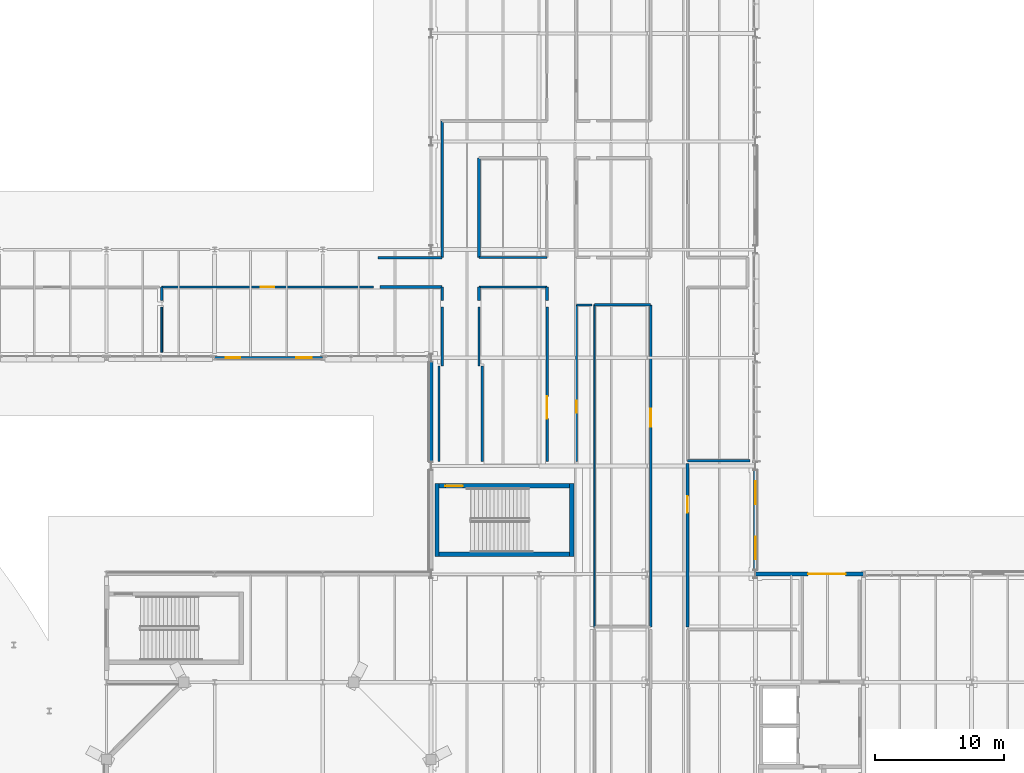
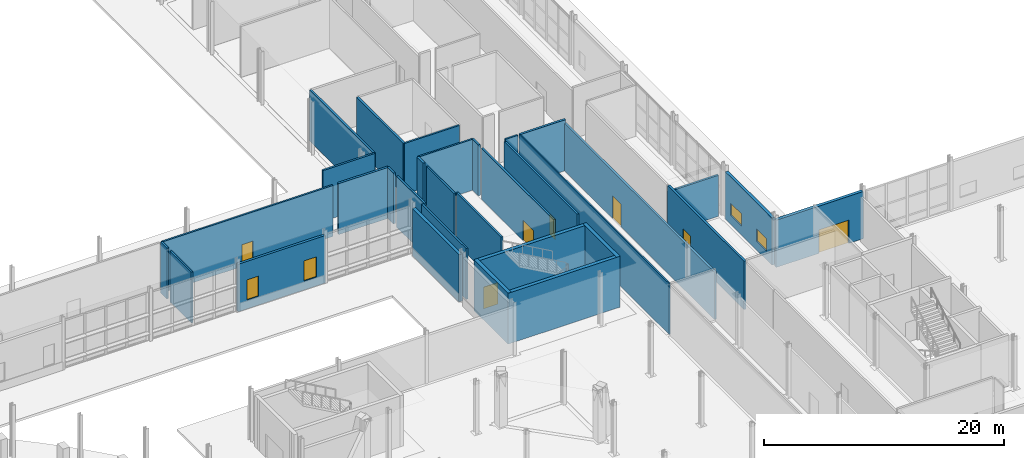
# One storey, part 86 of 124: 32 walls, 7 doors, 4 windows, 11 openings.
"""IFC4 building model written with IfcOpenShell, lengths in metres."""

from ifc_helpers import new_model, si_unit, direction, frame, frame_2d, origin, place, context, subcontext, project, spatial, rectangle, extrude, material, layer, layer_set, type_object, element, fill, save


model = new_model("IFC4")

# Units and contexts
model_context = context("Model", 3, precision=1e-05, world=origin(), true_north=direction((0.0, 1.0)))
body_context = subcontext(model_context, "Body", "Model", "MODEL_VIEW")
ifc_project = project(units=[si_unit("LENGTHUNIT", "METRE"), si_unit("AREAUNIT", "SQUARE_METRE"), si_unit("VOLUMEUNIT", "CUBIC_METRE"), si_unit("PLANEANGLEUNIT", "RADIAN"), si_unit("MASSUNIT", "GRAM", prefix="KILO")], contexts=[model_context])

# Site, building, storey
site_placement = place(None, origin())
site = spatial("IfcSite", under=ifc_project, at=site_placement, CompositionType="ELEMENT")
building_placement = place(site_placement, origin())
building = spatial("IfcBuilding", under=site, at=building_placement, Name="Mersafa Astral City Hall", CompositionType="ELEMENT")
storey_placement = place(building_placement, origin())
storey = spatial("IfcBuildingStorey", under=building, at=storey_placement, Name="L00", CompositionType="ELEMENT", Elevation=0.0)

# Wall, openings, windows
ifc_material_1 = material(Name="Precast concrete C40/50 insulated terracotta spandrel", Category="masonry")
ifc_layer_1 = layer(ifc_material_1, 0.235107421875, Name="Precast concrete C40/50 insulated terracotta spandrel")
ifc_layer_set_1 = layer_set([ifc_layer_1], Name="Precast concrete C40/50 insulated terracotta spandrel — ENV-WAL-EXT-235")
wall_type_1 = type_object("IfcWallType", Name="ENV-WAL-EXT-235", PredefinedType="STANDARD", material=ifc_layer_set_1)
wall_1_placement = place(storey_placement, frame((75.60791015625, 50.39990234375, 0.0), z_axis=(0.0, 0.0, 1.0), x_axis=(1.0, 0.0, 0.0)))
wall_1 = element("IfcWall", 1, at=wall_1_placement, inside=storey, type_object=wall_type_1, Name="L00 Limestone-clad exterior wall 65", PredefinedType="STANDARD", context=body_context, shape_type="SweptSolid", body=[
    extrude(rectangle(XDim=8.384033203125, YDim=0.235107421875, at=frame_2d((4.19189453125, 0.0))), origin(), (0.0, 0.0, 1.0), 4.826904296875),
])
opening_1_placement = place(wall_1_placement, frame((0.85009765625, 0.0, 0.89990234375)))
opening_1 = element("IfcOpeningElement", 2, at=opening_1_placement, cuts=wall_1, Name="Opening W-52", PredefinedType="OPENING", context=body_context, shape_type="SweptSolid", body=[
    extrude(rectangle(XDim=1.1201171875, YDim=2.050048828125, at=frame_2d((0.56005859375, 1.02490234375))), frame((0.0, 0.12744140625, 0.0), z_axis=(0.0, -1.0, 0.0), x_axis=(1.0, 0.0, 0.0)), (0.0, 0.0, 1.0), 0.255126953125),
])
opening_2_placement = place(wall_1_placement, frame((6.31396484375, 0.0, 0.89990234375)))
opening_2 = element("IfcOpeningElement", 3, at=opening_2_placement, cuts=wall_1, Name="Opening W-53", PredefinedType="OPENING", context=body_context, shape_type="SweptSolid", body=[
    extrude(rectangle(XDim=1.219970703125, YDim=2.050048828125, at=frame_2d((0.60986328125, 1.02490234375))), frame((0.0, 0.12744140625, 0.0), z_axis=(0.0, -1.0, 0.0), x_axis=(1.0, 0.0, 0.0)), (0.0, 0.0, 1.0), 0.255126953125),
])
ifc_material_2 = material(Name="Solar control low-e double glazing in bronze frame", Category="glass")
window_type_1 = type_object("IfcWindowType", Name="ENV-WIN-W-52", PartitioningType="SINGLE_PANEL", PredefinedType="WINDOW", material=ifc_material_2)
window_1_placement = place(opening_1_placement, origin())
window_1 = element("IfcWindow", 4, at=window_1_placement, inside=storey, type_object=window_type_1, Name="L00 Solar punched window 65-L", OverallHeight=2.050048828125, OverallWidth=1.1201171875, PartitioningType="SINGLE_PANEL", PredefinedType="WINDOW", context=body_context, shape_type="SweptSolid", body=[
    extrude(rectangle(XDim=1.1201171875, YDim=2.050048828125, at=frame_2d((0.56005859375, 1.02490234375))), frame((0.0, 0.030029296875, 0.0), z_axis=(0.0, -1.0, 0.0), x_axis=(1.0, 0.0, 0.0)), (0.0, 0.0, 1.0), 0.06005859375),
])
fill(opening_1, window_1)
window_type_2 = type_object("IfcWindowType", Name="ENV-WIN-W-53", PartitioningType="SINGLE_PANEL", PredefinedType="WINDOW", material=ifc_material_2)
window_2_placement = place(opening_2_placement, origin())
window_2 = element("IfcWindow", 5, at=window_2_placement, inside=storey, type_object=window_type_2, Name="L00 Solar punched window 65-R", OverallHeight=2.050048828125, OverallWidth=1.219970703125, PartitioningType="SINGLE_PANEL", PredefinedType="WINDOW", context=body_context, shape_type="SweptSolid", body=[
    extrude(rectangle(XDim=1.219970703125, YDim=2.050048828125, at=frame_2d((0.60986328125, 1.02490234375))), frame((0.0, 0.030029296875, 0.0), z_axis=(0.0, -1.0, 0.0), x_axis=(1.0, 0.0, 0.0)), (0.0, 0.0, 1.0), 0.06005859375),
])
fill(opening_2, window_2)

ifc_material_3 = material(Name="Precast concrete C40/50 insulated limestone wall", Category="masonry")
ifc_layer_2 = layer(ifc_material_3, 0.280029296875, Name="Precast concrete C40/50 insulated limestone wall")
ifc_layer_set_2 = layer_set([ifc_layer_2], Name="Precast concrete C40/50 insulated limestone wall — ENV-WAL-EXT-280")
wall_type_2 = type_object("IfcWallType", Name="ENV-WAL-EXT-280", PredefinedType="STANDARD", material=ifc_layer_set_2)
wall_2_placement = place(storey_placement, frame((117.60009765625, 33.9208984375, 0.0), z_axis=(0.0, 0.0, 1.0), x_axis=(0.0, 1.0, 0.0)))
wall_2 = element("IfcWall", 6, at=wall_2_placement, inside=storey, type_object=wall_type_2, Name="L00 Limestone-clad exterior wall 20", PredefinedType="STANDARD", context=body_context, shape_type="SweptSolid", body=[
    extrude(rectangle(XDim=7.758056640625, YDim=0.280029296875, at=frame_2d((3.87890625, 0.0))), origin(), (0.0, 0.0, 1.0), 4.797119140625),
])
opening_3_placement = place(wall_2_placement, frame((0.85009765625, 0.0, 0.89990234375)))
opening_3 = element("IfcOpeningElement", 7, at=opening_3_placement, cuts=wall_2, Name="Opening W-18", PredefinedType="OPENING", context=body_context, shape_type="SweptSolid", body=[
    extrude(rectangle(XDim=1.719970703125, YDim=1.25, at=frame_2d((0.85986328125, 0.625))), frame((0.0, 0.14990234375, 0.0), z_axis=(0.0, -1.0, 0.0), x_axis=(1.0, 0.0, 0.0)), (0.0, 0.0, 1.0), 0.300048828125),
])
opening_4_placement = place(wall_2_placement, frame((5.087890625, 0.0, 0.89990234375)))
opening_4 = element("IfcOpeningElement", 8, at=opening_4_placement, cuts=wall_2, Name="Opening W-19", PredefinedType="OPENING", context=body_context, shape_type="SweptSolid", body=[
    extrude(rectangle(XDim=1.820068359375, YDim=1.25, at=frame_2d((0.91015625, 0.625))), frame((0.0, 0.14990234375, 0.0), z_axis=(0.0, -1.0, 0.0), x_axis=(1.0, 0.0, 0.0)), (0.0, 0.0, 1.0), 0.300048828125),
])
window_type_3 = type_object("IfcWindowType", Name="ENV-WIN-W-18", PartitioningType="SINGLE_PANEL", PredefinedType="WINDOW", material=ifc_material_2)
window_3_placement = place(opening_3_placement, origin())
window_3 = element("IfcWindow", 9, at=window_3_placement, inside=storey, type_object=window_type_3, Name="L00 Solar punched window 20-L", OverallHeight=1.25, OverallWidth=1.719970703125, PartitioningType="SINGLE_PANEL", PredefinedType="WINDOW", context=body_context, shape_type="SweptSolid", body=[
    extrude(rectangle(XDim=1.719970703125, YDim=1.25, at=frame_2d((0.85986328125, 0.625))), frame((0.0, 0.030029296875, 0.0), z_axis=(0.0, -1.0, 0.0), x_axis=(1.0, 0.0, 0.0)), (0.0, 0.0, 1.0), 0.06005859375),
])
fill(opening_3, window_3)
window_type_4 = type_object("IfcWindowType", Name="ENV-WIN-W-19", PartitioningType="SINGLE_PANEL", PredefinedType="WINDOW", material=ifc_material_2)
window_4_placement = place(opening_4_placement, origin())
window_4 = element("IfcWindow", 10, at=window_4_placement, inside=storey, type_object=window_type_4, Name="L00 Solar punched window 20-R", OverallHeight=1.25, OverallWidth=1.820068359375, PartitioningType="SINGLE_PANEL", PredefinedType="WINDOW", context=body_context, shape_type="SweptSolid", body=[
    extrude(rectangle(XDim=1.820068359375, YDim=1.25, at=frame_2d((0.91015625, 0.625))), frame((0.0, 0.030029296875, 0.0), z_axis=(0.0, -1.0, 0.0), x_axis=(1.0, 0.0, 0.0)), (0.0, 0.0, 1.0), 0.06005859375),
])
fill(opening_4, window_4)

# Wall, opening, door
ifc_layer_3 = layer(ifc_material_3, 0.294921875, Name="Precast concrete C40/50 insulated limestone wall")
ifc_layer_set_3 = layer_set([ifc_layer_3], Name="Precast concrete C40/50 insulated limestone wall — ENV-WAL-EXT-295")
wall_type_3 = type_object("IfcWallType", Name="ENV-WAL-EXT-295", PredefinedType="STANDARD", material=ifc_layer_set_3)
wall_3_placement = place(storey_placement, frame((117.60791015625, 33.60009765625, 0.0), z_axis=(0.0, 0.0, 1.0), x_axis=(1.0, 0.0, 0.0)))
wall_3 = element("IfcWall", 11, at=wall_3_placement, inside=storey, type_object=wall_type_3, Name="L00 Protected lobby exit wall E12", PredefinedType="STANDARD", context=body_context, shape_type="SweptSolid", body=[
    extrude(rectangle(XDim=8.384033203125, YDim=0.294921875, at=frame_2d((4.19189453125, 0.0))), origin(), (0.0, 0.0, 1.0), 4.797119140625),
])
opening_5_placement = place(wall_3_placement, frame((4.092041015625, 0.0, 0.0)))
opening_5 = element("IfcOpeningElement", 12, at=opening_5_placement, cuts=wall_3, Name="Opening ED-4", PredefinedType="OPENING", context=body_context, shape_type="SweptSolid", body=[
    extrude(rectangle(XDim=2.89990234375, YDim=2.3798828125, at=frame_2d((1.449951171875, 1.18994140625))), frame((0.0, 0.157470703125, 0.0), z_axis=(0.0, -1.0, 0.0), x_axis=(1.0, 0.0, 0.0)), (0.0, 0.0, 1.0), 0.31494140625),
])
ifc_material_4 = material(Name="Fire-rated steel exit door pair", Category="steel")
door_type_1 = type_object("IfcDoorType", Name="ENV-DR-EXIT-FD90-2650", OperationType="NOTDEFINED", PredefinedType="DOOR", material=ifc_material_4)
door_1_placement = place(opening_5_placement, origin())
door_1 = element("IfcDoor", 13, at=door_1_placement, inside=storey, type_object=door_type_1, Name="Ground Final Exit Door E12", OperationType="DOUBLE_DOOR_SINGLE_SWING", OverallHeight=2.3798828125, OverallWidth=2.89990234375, PredefinedType="DOOR", context=body_context, shape_type="SweptSolid", body=[
    extrude(rectangle(XDim=2.89990234375, YDim=2.3798828125, at=frame_2d((1.449951171875, 1.18994140625))), frame((0.0, 0.02490234375, 0.0), z_axis=(0.0, -1.0, 0.0), x_axis=(1.0, 0.0, 0.0)), (0.0, 0.0, 1.0), 0.050048828125),
])
fill(opening_5, door_1)

# Walls
ifc_layer_4 = layer(ifc_material_3, 0.31005859375, Name="Precast concrete C40/50 insulated limestone wall")
ifc_layer_set_4 = layer_set([ifc_layer_4], Name="Precast concrete C40/50 insulated limestone wall — ENV-WAL-EXT-310")
wall_type_4 = type_object("IfcWallType", Name="ENV-WAL-EXT-310", PredefinedType="STANDARD", material=ifc_layer_set_4)
wall_4_placement = place(storey_placement, frame((92.39990234375, 50.0791015625, 0.0), z_axis=(0.0, 0.0, 1.0), x_axis=(0.0, -1.0, 0.0)))
element("IfcWall", 14, at=wall_4_placement, inside=storey, type_object=wall_type_4, Name="L00 Limestone-clad exterior wall 66", PredefinedType="STANDARD", context=body_context, shape_type="SweptSolid", body=[
    extrude(rectangle(XDim=7.758056640625, YDim=0.31005859375, at=frame_2d((3.87890625, 0.0))), origin(), (0.0, 0.0, 1.0), 4.797119140625),
])
ifc_material_5 = material(Name="Concrete C40/50", Category="concrete")
ifc_layer_5 = layer(ifc_material_5, 0.340087890625, Name="Concrete C40/50")
ifc_layer_set_5 = layer_set([ifc_layer_5], Name="Concrete C40/50 — INT-WAL-CORE-340")
wall_type_5 = type_object("IfcWallType", Name="INT-WAL-CORE-340", PredefinedType="SHEAR", material=ifc_layer_set_5)
wall_5_placement = place(storey_placement, frame((92.705078125, 35.14501953125, 0.0), z_axis=(0.0, 0.0, 1.0), x_axis=(1.0, 0.0, 0.0)))
element("IfcWall", 15, at=wall_5_placement, inside=storey, type_object=wall_type_5, Name="L00 Assembly stair K8 south wall", PredefinedType="SHEAR", context=body_context, shape_type="SweptSolid", body=[
    extrude(rectangle(XDim=10.7900390625, YDim=0.340087890625, at=frame_2d((5.39501953125, 0.0))), origin(), (0.0, 0.0, 1.0), 5.175048828125),
])
for number, where, z_axis, x_axis, name in (
    (16, (92.875, 34.97509765625, 0.0), (0.0, 0.0, 1.0), (0.0, 1.0, 0.0), "L00 Assembly stair K8 west wall"),
    (17, (103.324951171875, 34.97509765625, 0.0), (0.0, 0.0, 1.0), (0.0, 1.0, 0.0), "L00 Assembly stair K8 east wall"),
):
    element("IfcWall", number, at=place(storey_placement, frame(where, z_axis=z_axis, x_axis=x_axis)), inside=storey, type_object=wall_type_5, Name=name, PredefinedType="SHEAR", context=body_context, shape_type="SweptSolid", body=[
        extrude(rectangle(XDim=5.64990234375, YDim=0.340087890625, at=frame_2d((2.824951171875, 0.0))), origin(), (0.0, 0.0, 1.0), 5.175048828125),
    ])

# Wall, opening, door
wall_6_placement = place(storey_placement, frame((92.705078125, 40.455078125, 0.0), z_axis=(0.0, 0.0, 1.0), x_axis=(1.0, 0.0, 0.0)))
wall_6 = element("IfcWall", 18, at=wall_6_placement, inside=storey, type_object=wall_type_5, Name="L00 Assembly stair K8 north wall", PredefinedType="SHEAR", context=body_context, shape_type="SweptSolid", body=[
    extrude(rectangle(XDim=10.7900390625, YDim=0.340087890625, at=frame_2d((5.39501953125, 0.0))), origin(), (0.0, 0.0, 1.0), 5.175048828125),
])
opening_6_placement = place(wall_6_placement, frame((0.820068359375, 0.0, 0.0)))
opening_6 = element("IfcOpeningElement", 19, at=opening_6_placement, cuts=wall_6, Name="Opening CD-2", PredefinedType="OPENING", context=body_context, shape_type="SweptSolid", body=[
    extrude(rectangle(XDim=1.35009765625, YDim=2.199951171875, at=frame_2d((0.675048828125, 1.10009765625))), frame((0.0, 0.179931640625, 0.0), z_axis=(0.0, -1.0, 0.0), x_axis=(1.0, 0.0, 0.0)), (0.0, 0.0, 1.0), 0.360107421875),
])
ifc_material_6 = material(Name="Fire-rated steel assembly stair door", Category="steel")
door_type_2 = type_object("IfcDoorType", Name="INT-DR-STAIR-FD90-1350", OperationType="NOTDEFINED", PredefinedType="DOOR", material=ifc_material_6)
door_2_placement = place(opening_6_placement, origin())
door_2 = element("IfcDoor", 20, at=door_2_placement, inside=storey, type_object=door_type_2, Name="L00 Assembly Stair ST8 Fire Door", OperationType="SINGLE_SWING_LEFT", OverallHeight=2.199951171875, OverallWidth=1.35009765625, PredefinedType="DOOR", context=body_context, shape_type="SweptSolid", body=[
    extrude(rectangle(XDim=1.35009765625, YDim=2.199951171875, at=frame_2d((0.675048828125, 1.10009765625))), frame((0.0, 0.02490234375, 0.0), z_axis=(0.0, -1.0, 0.0), x_axis=(1.0, 0.0, 0.0)), (0.0, 0.0, 1.0), 0.050048828125),
])
fill(opening_6, door_2)

# Walls
ifc_material_7 = material(Name="Acoustic steel-stud gypsum partition", Category="steel")
ifc_layer_6 = layer(ifc_material_7, 0.1201171875, Name="Acoustic steel-stud gypsum partition")
ifc_layer_set_6 = layer_set([ifc_layer_6], Name="Acoustic steel-stud gypsum partition — INT-WAL-PART-EI30-120")
wall_type_6 = type_object("IfcWallType", Name="INT-WAL-PART-EI30-120", PredefinedType="STANDARD", material=ifc_layer_set_6)
wall_7_placement = place(storey_placement, frame((105.090087890625, 29.489990234375, -0.00390625), z_axis=(0.0, 0.0, 1.0), x_axis=(0.0, 1.0, 0.0)))
element("IfcWall", 21, at=wall_7_placement, inside=storey, type_object=wall_type_6, Name="L00 Interior partition wall 155", PredefinedType="STANDARD", context=body_context, shape_type="SweptSolid", body=[
    extrude(rectangle(XDim=25.02001953125, YDim=0.1201171875, at=frame_2d((12.510009765625, 0.0))), origin(), (0.0, 0.0, 1.0), 5.178955078125),
])
ifc_layer_7 = layer(ifc_material_7, 0.14990234375, Name="Acoustic steel-stud gypsum partition")
ifc_layer_set_7 = layer_set([ifc_layer_7], Name="Acoustic steel-stud gypsum partition — INT-WAL-PART-EI30-150")
wall_type_7 = type_object("IfcWallType", Name="INT-WAL-PART-EI30-150", PredefinedType="STANDARD", material=ifc_layer_set_7)
wall_8_placement = place(storey_placement, frame((71.489990234375, 50.820068359375, -0.00390625), z_axis=(0.0, 0.0, 1.0), x_axis=(0.0, 1.0, 0.0)))
element("IfcWall", 22, at=wall_8_placement, inside=storey, type_object=wall_type_7, Name="L00 Interior partition wall 249", PredefinedType="STANDARD", context=body_context, shape_type="SweptSolid", body=[
    extrude(rectangle(XDim=3.52001953125, YDim=0.14990234375, at=frame_2d((1.760009765625, 0.0))), origin(), (0.0, 0.0, 1.0), 5.178955078125),
])
ifc_material_8 = material(Name="Fire-rated gypsum stud partition", Category="gypsum")
ifc_layer_8 = layer(ifc_material_8, 0.1650390625, Name="Fire-rated gypsum stud partition")
ifc_layer_set_8 = layer_set([ifc_layer_8], Name="Fire-rated gypsum stud partition — INT-WAL-PART-EI60-165")
wall_type_8 = type_object("IfcWallType", Name="INT-WAL-PART-EI60-165", PredefinedType="STANDARD", material=ifc_layer_set_8)
wall_9_placement = place(storey_placement, frame((103.699951171875, 54.510009765625, -0.00390625), z_axis=(0.0, 0.0, 1.0), x_axis=(1.0, 0.0, 0.0)))
element("IfcWall", 23, at=wall_9_placement, inside=storey, type_object=wall_type_8, Name="L00 Interior partition wall 171", PredefinedType="STANDARD", context=body_context, shape_type="SweptSolid", body=[
    extrude(rectangle(XDim=1.2099609375, YDim=0.1650390625, at=frame_2d((0.60498046875, 0.0))), origin(), (0.0, 0.0, 1.0), 5.178955078125),
])
wall_10_placement = place(storey_placement, frame((96.1298828125, 55.89990234375, -0.00390625), z_axis=(0.0, 0.0, 1.0), x_axis=(1.0, 0.0, 0.0)))
element("IfcWall", 24, at=wall_10_placement, inside=storey, type_object=wall_type_8, Name="L00 Interior partition wall 199", PredefinedType="STANDARD", context=body_context, shape_type="SweptSolid", body=[
    extrude(rectangle(XDim=5.2900390625, YDim=0.1650390625, at=frame_2d((2.64501953125, 0.0))), origin(), (0.0, 0.0, 1.0), 5.178955078125),
])
wall_11_placement = place(storey_placement, frame((96.1298828125, 49.780029296875, -0.00390625), z_axis=(0.0, 0.0, 1.0), x_axis=(0.0, 1.0, 0.0)))
element("IfcWall", 25, at=wall_11_placement, inside=storey, type_object=wall_type_8, Name="L00 Interior partition wall 203", PredefinedType="STANDARD", context=body_context, shape_type="SweptSolid", body=[
    extrude(rectangle(XDim=4.56005859375, YDim=0.1650390625, at=frame_2d((2.280029296875, 0.0))), origin(), (0.0, 0.0, 1.0), 5.178955078125),
])
wall_12_placement = place(storey_placement, frame((101.419921875, 58.179931640625, -0.00390625), z_axis=(0.0, 0.0, 1.0), x_axis=(-1.0, 0.0, 0.0)))
element("IfcWall", 26, at=wall_12_placement, inside=storey, type_object=wall_type_8, Name="L00 Interior partition wall 215", PredefinedType="STANDARD", context=body_context, shape_type="SweptSolid", body=[
    extrude(rectangle(XDim=5.2900390625, YDim=0.1650390625, at=frame_2d((2.64501953125, 0.0))), origin(), (0.0, 0.0, 1.0), 5.178955078125),
])

# Wall, opening, door
wall_13_placement = place(storey_placement, frame((71.489990234375, 55.89990234375, -0.00390625), z_axis=(0.0, 0.0, 1.0), x_axis=(1.0, 0.0, 0.0)))
wall_13 = element("IfcWall", 27, at=wall_13_placement, inside=storey, type_object=wall_type_8, Name="L00 Interior partition wall 251", PredefinedType="STANDARD", context=body_context, shape_type="SweptSolid", body=[
    extrude(rectangle(XDim=16.449951171875, YDim=0.1650390625, at=frame_2d((8.22509765625, 0.0))), origin(), (0.0, 0.0, 1.0), 5.178955078125),
])
opening_7_placement = place(wall_13_placement, frame((7.705078125, 0.0, 0.0)))
opening_7 = element("IfcOpeningElement", 28, at=opening_7_placement, cuts=wall_13, Name="Opening D-21", PredefinedType="OPENING", context=body_context, shape_type="SweptSolid", body=[
    extrude(rectangle(XDim=1.0400390625, YDim=2.219970703125, at=frame_2d((0.52001953125, 1.10986328125))), frame((0.0, 0.092529296875, 0.0), z_axis=(0.0, -1.0, 0.0), x_axis=(1.0, 0.0, 0.0)), (0.0, 0.0, 1.0), 0.18505859375),
])
ifc_material_9 = material(Name="Cedar veneered acoustic fire-rated timber door", Category="wood")
door_type_3 = type_object("IfcDoorType", Name="INT-DR-RM-D-21", OperationType="NOTDEFINED", PredefinedType="DOOR", material=ifc_material_9)
door_3_placement = place(opening_7_placement, origin())
door_3 = element("IfcDoor", 29, at=door_3_placement, inside=storey, type_object=door_type_3, Name="L00 Municipal Licensing Counter Hall L00-31 Entrance Door", OperationType="SINGLE_SWING_LEFT", OverallHeight=2.219970703125, OverallWidth=1.0400390625, PredefinedType="DOOR", context=body_context, shape_type="SweptSolid", body=[
    extrude(rectangle(XDim=1.0400390625, YDim=2.219970703125, at=frame_2d((0.52001953125, 1.10986328125))), frame((0.0, 0.02490234375, 0.0), z_axis=(0.0, -1.0, 0.0), x_axis=(1.0, 0.0, 0.0)), (0.0, 0.0, 1.0), 0.050048828125),
])
fill(opening_7, door_3)

# Walls
wall_14_placement = place(storey_placement, frame((93.02001953125, 49.780029296875, -0.00390625), z_axis=(0.0, 0.0, 1.0), x_axis=(0.0, -1.0, 0.0)))
element("IfcWall", 30, at=wall_14_placement, inside=storey, type_object=wall_type_8, Name="L00 Interior partition wall 255", PredefinedType="STANDARD", context=body_context, shape_type="SweptSolid", body=[
    extrude(rectangle(XDim=7.43994140625, YDim=0.1650390625, at=frame_2d((3.719970703125, 0.0))), origin(), (0.0, 0.0, 1.0), 5.178955078125),
])
ifc_material_10 = material(Name="Acoustic twin-stud gypsum partition", Category="gypsum")
ifc_layer_9 = layer(ifc_material_10, 0.179931640625, Name="Acoustic twin-stud gypsum partition")
ifc_layer_set_9 = layer_set([ifc_layer_9], Name="Acoustic twin-stud gypsum partition — INT-WAL-PART-EI60-180")
wall_type_9 = type_object("IfcWallType", Name="INT-WAL-PART-EI60-180", PredefinedType="STANDARD", material=ifc_layer_set_9)
wall_15_placement = place(storey_placement, frame((93.27001953125, 58.179931640625, -0.00390625), z_axis=(0.0, 0.0, 1.0), x_axis=(-1.0, 0.0, 0.0)))
element("IfcWall", 31, at=wall_15_placement, inside=storey, type_object=wall_type_9, Name="L00 Interior partition wall 166", PredefinedType="STANDARD", context=body_context, shape_type="SweptSolid", body=[
    extrude(rectangle(XDim=4.97998046875, YDim=0.179931640625, at=frame_2d((2.489990234375, 0.0))), origin(), (0.0, 0.0, 1.0), 5.178955078125),
])

# Wall, opening, door
wall_16_placement = place(storey_placement, frame((103.699951171875, 42.340087890625, -0.00390625), z_axis=(0.0, 0.0, 1.0), x_axis=(0.0, 1.0, 0.0)))
wall_16 = element("IfcWall", 32, at=wall_16_placement, inside=storey, type_object=wall_type_9, Name="L00 Interior partition wall 170", PredefinedType="STANDARD", context=body_context, shape_type="SweptSolid", body=[
    extrude(rectangle(XDim=12.169921875, YDim=0.179931640625, at=frame_2d((6.0849609375, 0.0))), origin(), (0.0, 0.0, 1.0), 4.94091796875),
])
opening_8_placement = place(wall_16_placement, frame((3.799560546875, 0.0, 0.0)))
opening_8 = element("IfcOpeningElement", 33, at=opening_8_placement, cuts=wall_16, Name="Opening D-01", PredefinedType="OPENING", context=body_context, shape_type="SweptSolid", body=[
    extrude(rectangle(XDim=0.919921875, YDim=2.06005859375, at=frame_2d((0.4599609375, 1.030029296875))), frame((0.0, 0.099853515625, 0.0), z_axis=(0.0, -1.0, 0.0), x_axis=(1.0, 0.0, 0.0)), (0.0, 0.0, 1.0), 0.199951171875),
])
door_type_4 = type_object("IfcDoorType", Name="INT-DR-RM-D-01", OperationType="NOTDEFINED", PredefinedType="DOOR", material=ifc_material_9)
door_4_placement = place(opening_8_placement, origin())
door_4 = element("IfcDoor", 34, at=door_4_placement, inside=storey, type_object=door_type_4, Name="L00 Citizens Service Centre L00-11 Entrance Door", OperationType="SINGLE_SWING_LEFT", OverallHeight=2.06005859375, OverallWidth=0.919921875, PredefinedType="DOOR", context=body_context, shape_type="SweptSolid", body=[
    extrude(rectangle(XDim=0.919921875, YDim=2.06005859375, at=frame_2d((0.4599609375, 1.030029296875))), frame((0.0, 0.02490234375, 0.0), z_axis=(0.0, -1.0, 0.0), x_axis=(1.0, 0.0, 0.0)), (0.0, 0.0, 1.0), 0.050048828125),
])
fill(opening_8, door_4)

# Walls
wall_17_placement = place(storey_placement, frame((96.3798828125, 42.340087890625, -0.00390625), z_axis=(0.0, 0.0, 1.0), x_axis=(0.0, 1.0, 0.0)))
element("IfcWall", 35, at=wall_17_placement, inside=storey, type_object=wall_type_9, Name="L00 Interior partition wall 202", PredefinedType="STANDARD", context=body_context, shape_type="SweptSolid", body=[
    extrude(rectangle(XDim=7.43994140625, YDim=0.179931640625, at=frame_2d((3.719970703125, 0.0))), origin(), (0.0, 0.0, 1.0), 5.178955078125),
])
wall_18_placement = place(storey_placement, frame((71.489990234375, 54.860107421875, -0.00390625), z_axis=(0.0, 0.0, 1.0), x_axis=(0.0, 1.0, 0.0)))
element("IfcWall", 36, at=wall_18_placement, inside=storey, type_object=wall_type_9, Name="L00 Interior partition wall 250", PredefinedType="STANDARD", context=body_context, shape_type="SweptSolid", body=[
    extrude(rectangle(XDim=1.039794921875, YDim=0.179931640625, at=frame_2d((0.52001953125, 0.0))), origin(), (0.0, 0.0, 1.0), 5.178955078125),
])
wall_19_placement = place(storey_placement, frame((93.27001953125, 54.340087890625, -0.00390625), z_axis=(0.0, 0.0, 1.0), x_axis=(0.0, -1.0, 0.0)))
element("IfcWall", 37, at=wall_19_placement, inside=storey, type_object=wall_type_9, Name="L00 Interior partition wall 254", PredefinedType="STANDARD", context=body_context, shape_type="SweptSolid", body=[
    extrude(rectangle(XDim=4.56005859375, YDim=0.179931640625, at=frame_2d((2.280029296875, 0.0))), origin(), (0.0, 0.0, 1.0), 5.178955078125),
])
ifc_layer_10 = layer(ifc_material_10, 0.195068359375, Name="Acoustic twin-stud gypsum partition")
ifc_layer_set_10 = layer_set([ifc_layer_10], Name="Acoustic twin-stud gypsum partition — INT-WAL-PART-EI60-195")
wall_type_10 = type_object("IfcWallType", Name="INT-WAL-PART-EI60-195", PredefinedType="STANDARD", material=ifc_layer_set_10)
wall_20_placement = place(storey_placement, frame((117.179931640625, 42.39990234375, -0.00390625), z_axis=(0.0, 0.0, 1.0), x_axis=(-1.0, 0.0, 0.0)))
element("IfcWall", 38, at=wall_20_placement, inside=storey, type_object=wall_type_10, Name="L00 Interior partition wall 109", PredefinedType="STANDARD", context=body_context, shape_type="SweptSolid", body=[
    extrude(rectangle(XDim=4.849853515625, YDim=0.195068359375, at=frame_2d((2.4248046875, 0.0))), origin(), (0.0, 0.0, 1.0), 4.160888671875),
])

# Wall, opening, door
wall_21_placement = place(storey_placement, frame((109.469970703125, 54.510009765625, -0.00390625), z_axis=(0.0, 0.0, 1.0), x_axis=(0.0, -1.0, 0.0)))
wall_21 = element("IfcWall", 39, at=wall_21_placement, inside=storey, type_object=wall_type_10, Name="L00 Interior partition wall 157", PredefinedType="STANDARD", context=body_context, shape_type="SweptSolid", body=[
    extrude(rectangle(XDim=25.02001953125, YDim=0.195068359375, at=frame_2d((12.510009765625, 0.0))), origin(), (0.0, 0.0, 1.0), 4.810791015625),
])
opening_9_placement = place(wall_21_placement, frame((8.056884765625, 0.0, 0.0)))
opening_9 = element("IfcOpeningElement", 40, at=opening_9_placement, cuts=wall_21, Name="Opening D-34", PredefinedType="OPENING", context=body_context, shape_type="SweptSolid", body=[
    extrude(rectangle(XDim=1.39990234375, YDim=2.300048828125, at=frame_2d((0.699951171875, 1.14990234375))), frame((0.0, 0.107421875, 0.0), z_axis=(0.0, -1.0, 0.0), x_axis=(1.0, 0.0, 0.0)), (0.0, 0.0, 1.0), 0.215087890625),
])
door_type_5 = type_object("IfcDoorType", Name="INT-DR-RM-D-34", OperationType="NOTDEFINED", PredefinedType="DOOR", material=ifc_material_9)
door_5_placement = place(opening_9_placement, origin())
door_5 = element("IfcDoor", 41, at=door_5_placement, inside=storey, type_object=door_type_5, Name="L00 Public Information & Wayfinding Salon L00-08 Entrance Door", OperationType="SINGLE_SWING_RIGHT", OverallHeight=2.300048828125, OverallWidth=1.39990234375, PredefinedType="DOOR", context=body_context, shape_type="SweptSolid", body=[
    extrude(rectangle(XDim=1.39990234375, YDim=2.300048828125, at=frame_2d((0.699951171875, 1.14990234375))), frame((0.0, 0.02490234375, 0.0), z_axis=(0.0, -1.0, 0.0), x_axis=(1.0, 0.0, 0.0)), (0.0, 0.0, 1.0), 0.050048828125),
])
fill(opening_9, door_5)

# Wall
wall_22_placement = place(storey_placement, frame((93.27001953125, 68.780029296875, -0.00390625), z_axis=(0.0, 0.0, 1.0), x_axis=(0.0, -1.0, 0.0)))
element("IfcWall", 42, at=wall_22_placement, inside=storey, type_object=wall_type_10, Name="L00 Interior partition wall 165", PredefinedType="STANDARD", context=body_context, shape_type="SweptSolid", body=[
    extrude(rectangle(XDim=10.60009765625, YDim=0.195068359375, at=frame_2d((5.300048828125, 0.0))), origin(), (0.0, 0.0, 1.0), 5.178955078125),
])

# Wall, opening, door
wall_23_placement = place(storey_placement, frame((101.419921875, 54.340087890625, -0.00390625), z_axis=(0.0, 0.0, 1.0), x_axis=(0.0, -1.0, 0.0)))
wall_23 = element("IfcWall", 43, at=wall_23_placement, inside=storey, type_object=wall_type_10, Name="L00 Interior partition wall 201", PredefinedType="STANDARD", context=body_context, shape_type="SweptSolid", body=[
    extrude(rectangle(XDim=12.0, YDim=0.195068359375, at=frame_2d((6.0, 0.0))), origin(), (0.0, 0.0, 1.0), 5.178955078125),
])
opening_10_placement = place(wall_23_placement, frame((6.93994140625, 0.0, 0.0)))
opening_10 = element("IfcOpeningElement", 44, at=opening_10_placement, cuts=wall_23, Name="Opening D-09", PredefinedType="OPENING", context=body_context, shape_type="SweptSolid", body=[
    extrude(rectangle(XDim=1.719970703125, YDim=2.06005859375, at=frame_2d((0.85986328125, 1.030029296875))), frame((0.0, 0.107421875, 0.0), z_axis=(0.0, -1.0, 0.0), x_axis=(1.0, 0.0, 0.0)), (0.0, 0.0, 1.0), 0.215087890625),
])
door_type_6 = type_object("IfcDoorType", Name="INT-DR-RM-D-09", OperationType="NOTDEFINED", PredefinedType="DOOR", material=ifc_material_9)
door_6_placement = place(opening_10_placement, origin())
door_6 = element("IfcDoor", 45, at=door_6_placement, inside=storey, type_object=door_type_6, Name="L00 Press & Media Accreditation Room L00-19 Entrance Door", OperationType="SINGLE_SWING_LEFT", OverallHeight=2.06005859375, OverallWidth=1.719970703125, PredefinedType="DOOR", context=body_context, shape_type="SweptSolid", body=[
    extrude(rectangle(XDim=1.719970703125, YDim=2.06005859375, at=frame_2d((0.85986328125, 1.030029296875))), frame((0.0, 0.02490234375, 0.0), z_axis=(0.0, -1.0, 0.0), x_axis=(1.0, 0.0, 0.0)), (0.0, 0.0, 1.0), 0.050048828125),
])
fill(opening_10, door_6)

# Walls
wall_24_placement = place(storey_placement, frame((93.27001953125, 55.89990234375, -0.00390625), z_axis=(0.0, 0.0, 1.0), x_axis=(0.0, -1.0, 0.0)))
element("IfcWall", 46, at=wall_24_placement, inside=storey, type_object=wall_type_10, Name="L00 Interior partition wall 253", PredefinedType="STANDARD", context=body_context, shape_type="SweptSolid", body=[
    extrude(rectangle(XDim=1.039794921875, YDim=0.195068359375, at=frame_2d((0.52001953125, 0.0))), origin(), (0.0, 0.0, 1.0), 5.178955078125),
])
ifc_material_11 = material(Name="Autoclaved aerated concrete blockwork plastered", Category="masonry")
ifc_layer_11 = layer(ifc_material_11, 0.2099609375, Name="Autoclaved aerated concrete blockwork plastered")
ifc_layer_set_11 = layer_set([ifc_layer_11], Name="Autoclaved aerated concrete blockwork plastered — INT-WAL-PART-EI60-210")
wall_type_11 = type_object("IfcWallType", Name="INT-WAL-PART-EI60-210", PredefinedType="STANDARD", material=ifc_layer_set_11)
wall_25_placement = place(storey_placement, frame((105.090087890625, 54.510009765625, -0.00390625), z_axis=(0.0, 0.0, 1.0), x_axis=(1.0, 0.0, 0.0)))
element("IfcWall", 47, at=wall_25_placement, inside=storey, type_object=wall_type_11, Name="L00 Interior partition wall 156", PredefinedType="STANDARD", context=body_context, shape_type="SweptSolid", body=[
    extrude(rectangle(XDim=4.3798828125, YDim=0.2099609375, at=frame_2d((2.18994140625, 0.0))), origin(), (0.0, 0.0, 1.0), 5.178955078125),
])

# Wall, opening, door
wall_26_placement = place(storey_placement, frame((112.330078125, 29.489990234375, -0.00390625), z_axis=(0.0, 0.0, 1.0), x_axis=(0.0, 1.0, 0.0)))
wall_26 = element("IfcWall", 48, at=wall_26_placement, inside=storey, type_object=wall_type_11, Name="L00 Interior partition wall 188", PredefinedType="STANDARD", context=body_context, shape_type="SweptSolid", body=[
    extrude(rectangle(XDim=12.7099609375, YDim=0.2099609375, at=frame_2d((6.35498046875, 0.0))), origin(), (0.0, 0.0, 1.0), 4.9208984375),
])
opening_11_placement = place(wall_26_placement, frame((8.892578125, 0.0, 0.0)))
opening_11 = element("IfcOpeningElement", 49, at=opening_11_placement, cuts=wall_26, Name="Opening D-06", PredefinedType="OPENING", context=body_context, shape_type="SweptSolid", body=[
    extrude(rectangle(XDim=1.280029296875, YDim=2.06005859375, at=frame_2d((0.64013671875, 1.030029296875))), frame((0.0, 0.114990234375, 0.0), z_axis=(0.0, -1.0, 0.0), x_axis=(1.0, 0.0, 0.0)), (0.0, 0.0, 1.0), 0.22998046875),
])
door_type_7 = type_object("IfcDoorType", Name="INT-DR-RM-D-06", OperationType="NOTDEFINED", PredefinedType="DOOR", material=ifc_material_9)
door_7_placement = place(opening_11_placement, origin())
door_7 = element("IfcDoor", 50, at=door_7_placement, inside=storey, type_object=door_type_7, Name="L00 Public Cafe L00-16 Entrance Door", OperationType="SINGLE_SWING_RIGHT", OverallHeight=2.06005859375, OverallWidth=1.280029296875, PredefinedType="DOOR", context=body_context, shape_type="SweptSolid", body=[
    extrude(rectangle(XDim=1.280029296875, YDim=2.06005859375, at=frame_2d((0.64013671875, 1.030029296875))), frame((0.0, 0.02490234375, 0.0), z_axis=(0.0, -1.0, 0.0), x_axis=(1.0, 0.0, 0.0)), (0.0, 0.0, 1.0), 0.050048828125),
])
fill(opening_11, door_7)

# Walls
for number, where, z_axis, x_axis, name in (
    (51, (101.419921875, 55.89990234375, -0.00390625), (0.0, 0.0, 1.0), (0.0, -1.0, 0.0), "L00 Interior partition wall 200"),
    (52, (96.1298828125, 54.860107421875, -0.00390625), (0.0, 0.0, 1.0), (0.0, 1.0, 0.0), "L00 Interior partition wall 204"),
):
    element("IfcWall", number, at=place(storey_placement, frame(where, z_axis=z_axis, x_axis=x_axis)), inside=storey, type_object=wall_type_11, Name=name, PredefinedType="STANDARD", context=body_context, shape_type="SweptSolid", body=[
        extrude(rectangle(XDim=1.039794921875, YDim=0.2099609375, at=frame_2d((0.52001953125, 0.0))), origin(), (0.0, 0.0, 1.0), 5.178955078125),
    ])
wall_27_placement = place(storey_placement, frame((96.1298828125, 58.179931640625, -0.00390625), z_axis=(0.0, 0.0, 1.0), x_axis=(0.0, 1.0, 0.0)))
element("IfcWall", 53, at=wall_27_placement, inside=storey, type_object=wall_type_11, Name="L00 Interior partition wall 216", PredefinedType="STANDARD", context=body_context, shape_type="SweptSolid", body=[
    extrude(rectangle(XDim=7.739990234375, YDim=0.2099609375, at=frame_2d((3.8701171875, 0.0))), origin(), (0.0, 0.0, 1.0), 5.178955078125),
])
wall_28_placement = place(storey_placement, frame((88.4599609375, 55.89990234375, -0.00390625), z_axis=(0.0, 0.0, 1.0), x_axis=(1.0, 0.0, 0.0)))
element("IfcWall", 54, at=wall_28_placement, inside=storey, type_object=wall_type_11, Name="L00 Interior partition wall 252", PredefinedType="STANDARD", context=body_context, shape_type="SweptSolid", body=[
    extrude(rectangle(XDim=4.81005859375, YDim=0.2099609375, at=frame_2d((2.405029296875, 0.0))), origin(), (0.0, 0.0, 1.0), 5.178955078125),
])

save(model, "model.ifc")
